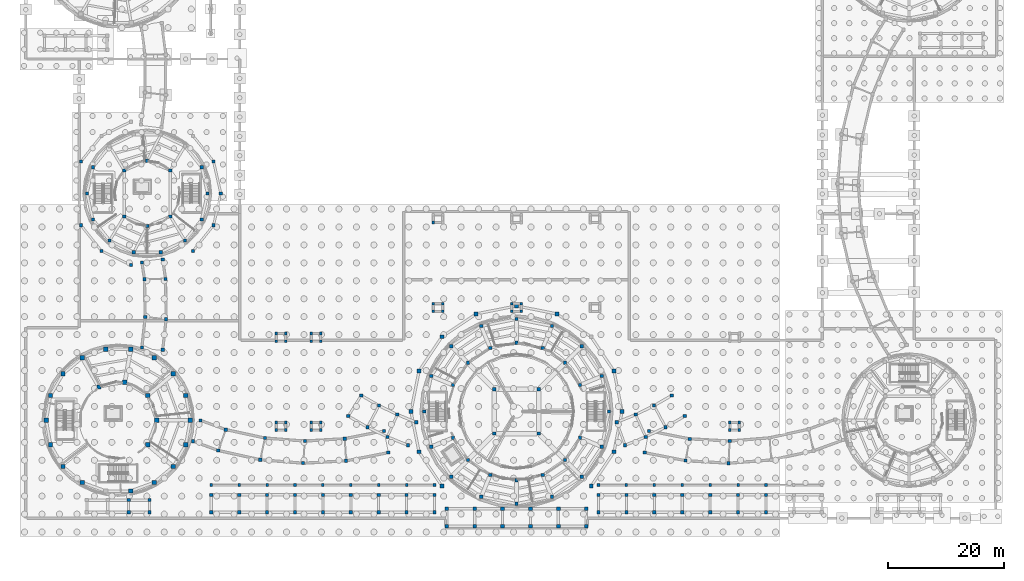
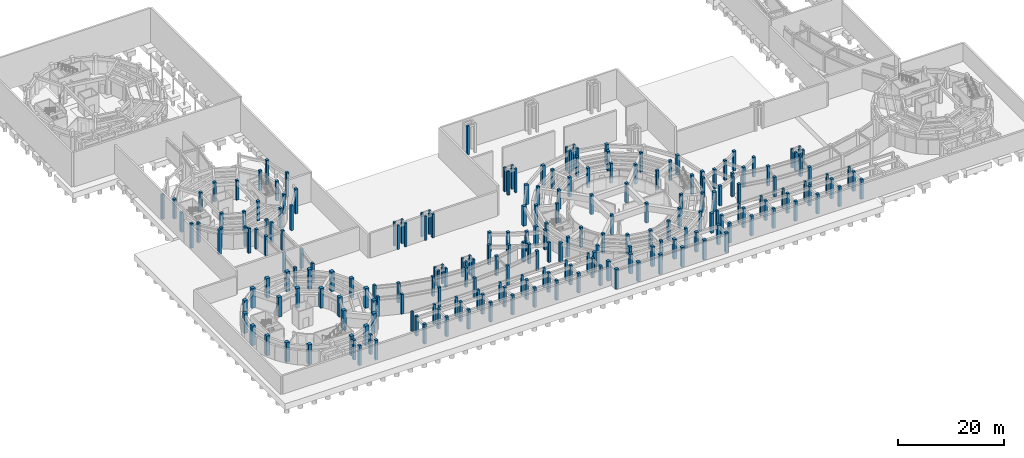
# One storey, part 9 of 57: 227 columns.
"""IFC4 building model written with IfcOpenShell, lengths in metres."""

from ifc_helpers import new_model, si_unit, direction, frame, origin, origin_2d, place, context, subcontext, project, spatial, rectangle, extrude, material, material_profile, profile_set, type_object, element, save


model = new_model("IFC4")

# Units and contexts
model_context = context("Model", 3, precision=1e-05, world=origin(), true_north=direction((0.0, 1.0)))
body_context = subcontext(model_context, "Body", "Model", "MODEL_VIEW")
ifc_project = project(units=[si_unit("LENGTHUNIT", "METRE"), si_unit("AREAUNIT", "SQUARE_METRE"), si_unit("VOLUMEUNIT", "CUBIC_METRE"), si_unit("PLANEANGLEUNIT", "RADIAN"), si_unit("MASSUNIT", "GRAM", prefix="KILO")], contexts=[model_context])

# Site, building, storey
site_placement = place(None, origin())
site = spatial("IfcSite", under=ifc_project, at=site_placement, CompositionType="ELEMENT")
building_placement = place(site_placement, origin())
building = spatial("IfcBuilding", under=site, at=building_placement, Name="Aldenvaro Health Centre", CompositionType="ELEMENT")
storey_placement = place(building_placement, frame((0.0, 0.0, -4.550048828125)))
storey = spatial("IfcBuildingStorey", under=building, at=storey_placement, Name="B1", CompositionType="ELEMENT", Elevation=-4.550048828125)

# Columns
ifc_material = material(Name="Concrete f'c 40 MPa", Category="concrete")
ifc_material_profile_1 = material_profile(ifc_material, rectangle(XDim=0.449951171875, YDim=0.449951171875, at=origin_2d()), Name="RC 450x450", Category="concrete")
ifc_profile_set_1 = profile_set([ifc_material_profile_1], Name="Concrete f'c 40 MPa")
column_type_1 = type_object("IfcColumnType", Name="COL-RC-450", PredefinedType="COLUMN", material=ifc_profile_set_1)
for number, where, z_axis, x_axis, name in (
    (1, (45.699951171875, 32.10009765625, 0.0), (0.0, 0.0, 1.0), (1.0, 0.0, 0.0), "Ramp 1 Landing Pier 1"),
    (2, (47.300048828125, 32.10009765625, 0.0), (0.0, 0.0, 1.0), (1.0, 0.0, 0.0), "Ramp 1 Landing Pier 2"),
    (3, (47.300048828125, 33.39990234375, 0.0), (0.0, 0.0, 1.0), (1.0, 0.0, 0.0), "Ramp 1 Landing Pier 3"),
    (4, (45.699951171875, 33.39990234375, 0.0), (0.0, 0.0, 1.0), (1.0, 0.0, 0.0), "Ramp 1 Landing Pier 4"),
):
    element("IfcColumn", number, at=place(storey_placement, frame(where, z_axis=z_axis, x_axis=x_axis)), inside=storey, type_object=column_type_1, Name=name, PredefinedType="COLUMN", context=body_context, shape_type="SweptSolid", body=[
        extrude(rectangle(XDim=0.449951171875, YDim=0.449951171875, at=origin_2d()), origin(), (0.0, 0.0, 1.0), 5.47998046875),
    ])
for number, where, z_axis, x_axis, name in (
    (5, (45.699951171875, 16.800048828125, 0.0), (0.0, 0.0, 1.0), (1.0, 0.0, 0.0), "Ramp 1 Departure Pier 1"),
    (6, (47.300048828125, 16.800048828125, 0.0), (0.0, 0.0, 1.0), (1.0, 0.0, 0.0), "Ramp 1 Departure Pier 2"),
    (7, (47.300048828125, 18.10009765625, 0.0), (0.0, 0.0, 1.0), (1.0, 0.0, 0.0), "Ramp 1 Departure Pier 3"),
    (8, (45.699951171875, 18.10009765625, 0.0), (0.0, 0.0, 1.0), (1.0, 0.0, 0.0), "Ramp 1 Departure Pier 4"),
):
    element("IfcColumn", number, at=place(storey_placement, frame(where, z_axis=z_axis, x_axis=x_axis)), inside=storey, type_object=column_type_1, Name=name, PredefinedType="COLUMN", context=body_context, shape_type="SweptSolid", body=[
        extrude(rectangle(XDim=0.449951171875, YDim=0.449951171875, at=origin_2d()), origin(), (0.0, 0.0, 1.0), 4.330078125),
    ])
for number, where, z_axis, x_axis, name in (
    (9, (51.699951171875, 32.10009765625, 0.0), (0.0, 0.0, 1.0), (1.0, 0.0, 0.0), "Ramp 2 Landing Pier 1"),
    (10, (53.300048828125, 32.10009765625, 0.0), (0.0, 0.0, 1.0), (1.0, 0.0, 0.0), "Ramp 2 Landing Pier 2"),
    (11, (53.300048828125, 33.39990234375, 0.0), (0.0, 0.0, 1.0), (1.0, 0.0, 0.0), "Ramp 2 Landing Pier 3"),
    (12, (51.699951171875, 33.39990234375, 0.0), (0.0, 0.0, 1.0), (1.0, 0.0, 0.0), "Ramp 2 Landing Pier 4"),
):
    element("IfcColumn", number, at=place(storey_placement, frame(where, z_axis=z_axis, x_axis=x_axis)), inside=storey, type_object=column_type_1, Name=name, PredefinedType="COLUMN", context=body_context, shape_type="SweptSolid", body=[
        extrude(rectangle(XDim=0.449951171875, YDim=0.449951171875, at=origin_2d()), origin(), (0.0, 0.0, 1.0), 5.47998046875),
    ])
for number, where, z_axis, x_axis, name in (
    (13, (51.699951171875, 16.800048828125, 0.0), (0.0, 0.0, 1.0), (1.0, 0.0, 0.0), "Ramp 2 Departure Pier 1"),
    (14, (53.300048828125, 16.800048828125, 0.0), (0.0, 0.0, 1.0), (1.0, 0.0, 0.0), "Ramp 2 Departure Pier 2"),
    (15, (53.300048828125, 18.10009765625, 0.0), (0.0, 0.0, 1.0), (1.0, 0.0, 0.0), "Ramp 2 Departure Pier 3"),
    (16, (51.699951171875, 18.10009765625, 0.0), (0.0, 0.0, 1.0), (1.0, 0.0, 0.0), "Ramp 2 Departure Pier 4"),
    (17, (123.699951171875, 16.800048828125, 0.0), (0.0, 0.0, 1.0), (1.0, 0.0, 0.0), "Ramp 3 Departure Pier 1"),
    (18, (125.300048828125, 16.800048828125, 0.0), (0.0, 0.0, 1.0), (1.0, 0.0, 0.0), "Ramp 3 Departure Pier 2"),
    (19, (125.300048828125, 18.10009765625, 0.0), (0.0, 0.0, 1.0), (1.0, 0.0, 0.0), "Ramp 3 Departure Pier 3"),
    (20, (123.699951171875, 18.10009765625, 0.0), (0.0, 0.0, 1.0), (1.0, 0.0, 0.0), "Ramp 3 Departure Pier 4"),
):
    element("IfcColumn", number, at=place(storey_placement, frame(where, z_axis=z_axis, x_axis=x_axis)), inside=storey, type_object=column_type_1, Name=name, PredefinedType="COLUMN", context=body_context, shape_type="SweptSolid", body=[
        extrude(rectangle(XDim=0.449951171875, YDim=0.449951171875, at=origin_2d()), origin(), (0.0, 0.0, 1.0), 4.330078125),
    ])
column_placement = place(storey_placement, frame((72.699951171875, 52.5, 0.0), z_axis=(0.0, 0.0, 1.0), x_axis=(1.0, 0.0, 0.0)))
element("IfcColumn", 21, at=column_placement, inside=storey, type_object=column_type_1, Name="Ramp 4 Landing Pier 1", PredefinedType="COLUMN", context=body_context, shape_type="SweptSolid", body=[
    extrude(rectangle(XDim=0.449951171875, YDim=0.449951171875, at=origin_2d()), origin(), (0.0, 0.0, 1.0), 6.630126953125),
])
for number, where, z_axis, x_axis, name in (
    (22, (72.699951171875, 37.199951171875, 0.0), (0.0, 0.0, 1.0), (1.0, 0.0, 0.0), "Ramp 4 Departure Pier 1"),
    (23, (74.300048828125, 37.199951171875, 0.0), (0.0, 0.0, 1.0), (1.0, 0.0, 0.0), "Ramp 4 Departure Pier 2"),
    (24, (74.300048828125, 38.5, 0.0), (0.0, 0.0, 1.0), (1.0, 0.0, 0.0), "Ramp 4 Departure Pier 3"),
    (25, (72.699951171875, 38.5, 0.0), (0.0, 0.0, 1.0), (1.0, 0.0, 0.0), "Ramp 4 Departure Pier 4"),
    (26, (86.199951171875, 37.199951171875, 0.0), (0.0, 0.0, 1.0), (1.0, 0.0, 0.0), "Ramp 6 Departure Pier 1"),
    (27, (87.800048828125, 37.199951171875, 0.0), (0.0, 0.0, 1.0), (1.0, 0.0, 0.0), "Ramp 6 Departure Pier 2"),
    (28, (87.800048828125, 38.5, 0.0), (0.0, 0.0, 1.0), (1.0, 0.0, 0.0), "Ramp 6 Departure Pier 3"),
    (29, (86.199951171875, 38.5, 0.0), (0.0, 0.0, 1.0), (1.0, 0.0, 0.0), "Ramp 6 Departure Pier 4"),
):
    element("IfcColumn", number, at=place(storey_placement, frame(where, z_axis=z_axis, x_axis=x_axis)), inside=storey, type_object=column_type_1, Name=name, PredefinedType="COLUMN", context=body_context, shape_type="SweptSolid", body=[
        extrude(rectangle(XDim=0.449951171875, YDim=0.449951171875, at=origin_2d()), origin(), (0.0, 0.0, 1.0), 5.47998046875),
    ])
for number, where, z_axis, x_axis, name in (
    (30, (34.5, 7.35009765625, 0.0), (0.0, 0.0, 1.0), (1.0, 0.0, 0.0), "Courtyard Screen W Substructure Pier 1"),
    (31, (39.300048828125, 7.35009765625, 0.0), (0.0, 0.0, 1.0), (1.0, 0.0, 0.0), "Courtyard Screen W Substructure Pier 2"),
    (32, (44.10009765625, 7.35009765625, 0.0), (0.0, 0.0, 1.0), (1.0, 0.0, 0.0), "Courtyard Screen W Substructure Pier 3"),
    (33, (48.89990234375, 7.35009765625, 0.0), (0.0, 0.0, 1.0), (1.0, 0.0, 0.0), "Courtyard Screen W Substructure Pier 4"),
    (34, (53.699951171875, 7.35009765625, 0.0), (0.0, 0.0, 1.0), (1.0, 0.0, 0.0), "Courtyard Screen W Substructure Pier 5"),
    (35, (58.5, 7.35009765625, 0.0), (0.0, 0.0, 1.0), (1.0, 0.0, 0.0), "Courtyard Screen W Substructure Pier 6"),
    (36, (63.300048828125, 7.35009765625, 0.0), (0.0, 0.0, 1.0), (1.0, 0.0, 0.0), "Courtyard Screen W Substructure Pier 7"),
    (37, (68.10009765625, 7.35009765625, 0.0), (0.0, 0.0, 1.0), (1.0, 0.0, 0.0), "Courtyard Screen W Substructure Pier 8"),
    (38, (72.89990234375, 7.35009765625, 0.0), (0.0, 0.0, 1.0), (1.0, 0.0, 0.0), "Courtyard Screen W Substructure Pier 9"),
    (39, (101.10009765625, 7.35009765625, 0.0), (0.0, 0.0, 1.0), (1.0, 0.0, 0.0), "Courtyard Screen E Substructure Pier 1"),
    (40, (105.89990234375, 7.35009765625, 0.0), (0.0, 0.0, 1.0), (1.0, 0.0, 0.0), "Courtyard Screen E Substructure Pier 2"),
    (41, (110.699951171875, 7.35009765625, 0.0), (0.0, 0.0, 1.0), (1.0, 0.0, 0.0), "Courtyard Screen E Substructure Pier 3"),
    (42, (115.5, 7.35009765625, 0.0), (0.0, 0.0, 1.0), (1.0, 0.0, 0.0), "Courtyard Screen E Substructure Pier 4"),
    (43, (120.300048828125, 7.35009765625, 0.0), (0.0, 0.0, 1.0), (1.0, 0.0, 0.0), "Courtyard Screen E Substructure Pier 5"),
    (44, (125.10009765625, 7.35009765625, 0.0), (0.0, 0.0, 1.0), (1.0, 0.0, 0.0), "Courtyard Screen E Substructure Pier 6"),
    (45, (129.89990234375, 7.35009765625, 0.0), (0.0, 0.0, 1.0), (1.0, 0.0, 0.0), "Courtyard Screen E Substructure Pier 7"),
):
    element("IfcColumn", number, at=place(storey_placement, frame(where, z_axis=z_axis, x_axis=x_axis)), inside=storey, type_object=column_type_1, Name=name, PredefinedType="COLUMN", context=body_context, shape_type="SweptSolid", body=[
        extrude(rectangle(XDim=0.449951171875, YDim=0.449951171875, at=origin_2d()), origin(), (0.0, 0.0, 1.0), 4.550048828125),
    ])
ifc_material_profile_2 = material_profile(ifc_material, rectangle(XDim=0.550048828125, YDim=0.550048828125, at=origin_2d()), Name="RC 550x550", Category="concrete")
ifc_profile_set_2 = profile_set([ifc_material_profile_2], Name="Concrete f'c 40 MPa")
column_type_2 = type_object("IfcColumnType", Name="COL-RC-550", PredefinedType="COLUMN", material=ifc_profile_set_2)
for number, where, z_axis, x_axis, name in (
    (46, (102.8798828125, 20.0, 0.0), (0.0, 0.0, 1.0), (1.0, 0.0, 0.0), "D1 B1 column OUT-01"),
    (47, (101.6708984375, 26.076904296875, 0.0), (0.0, 0.0, 1.0), (1.0, 0.0, 0.0), "D1 B1 column OUT-02"),
    (48, (98.22900390625, 31.22900390625, 0.0), (0.0, 0.0, 1.0), (1.0, 0.0, 0.0), "D1 B1 column OUT-03"),
    (49, (93.076904296875, 34.6708984375, 0.0), (0.0, 0.0, 1.0), (1.0, 0.0, 0.0), "D1 B1 column OUT-04"),
    (50, (87.0, 35.8798828125, 0.0), (0.0, 0.0, 1.0), (1.0, 0.0, 0.0), "D1 B1 column OUT-05"),
    (51, (80.923095703125, 34.6708984375, 0.0), (0.0, 0.0, 1.0), (1.0, 0.0, 0.0), "D1 B1 column OUT-06"),
    (52, (75.77099609375, 31.22900390625, 0.0), (0.0, 0.0, 1.0), (1.0, 0.0, 0.0), "D1 B1 column OUT-07"),
    (53, (72.3291015625, 26.076904296875, 0.0), (0.0, 0.0, 1.0), (1.0, 0.0, 0.0), "D1 B1 column OUT-08"),
    (54, (71.1201171875, 20.0, 0.0), (0.0, 0.0, 1.0), (1.0, 0.0, 0.0), "D1 B1 column OUT-09"),
    (55, (72.3291015625, 13.923095703125, 0.0), (0.0, 0.0, 1.0), (1.0, 0.0, 0.0), "D1 B1 column OUT-10"),
    (56, (75.77099609375, 8.77099609375, 0.0), (0.0, 0.0, 1.0), (1.0, 0.0, 0.0), "D1 B1 column OUT-11"),
    (57, (80.923095703125, 5.3291015625, 0.0), (0.0, 0.0, 1.0), (1.0, 0.0, 0.0), "D1 B1 column OUT-12"),
    (58, (87.0, 4.1201171875, 0.0), (0.0, 0.0, 1.0), (1.0, 0.0, 0.0), "D1 B1 column OUT-13"),
    (59, (93.076904296875, 5.3291015625, 0.0), (0.0, 0.0, 1.0), (1.0, 0.0, 0.0), "D1 B1 column OUT-14"),
    (60, (98.22900390625, 8.77099609375, 0.0), (0.0, 0.0, 1.0), (1.0, 0.0, 0.0), "D1 B1 column OUT-15"),
    (61, (101.6708984375, 13.923095703125, 0.0), (0.0, 0.0, 1.0), (1.0, 0.0, 0.0), "D1 B1 column OUT-16"),
    (62, (97.919921875, 24.52294921875, 0.0), (0.0, 0.0, 1.0), (1.0, 0.0, 0.0), "D1 B1 column IN-01"),
    (63, (95.35791015625, 28.35791015625, 0.0), (0.0, 0.0, 1.0), (1.0, 0.0, 0.0), "D1 B1 column IN-02"),
    (64, (91.52294921875, 30.919921875, 0.0), (0.0, 0.0, 1.0), (1.0, 0.0, 0.0), "D1 B1 column IN-03"),
    (65, (87.0, 31.820068359375, 0.0), (0.0, 0.0, 1.0), (1.0, 0.0, 0.0), "D1 B1 column IN-04"),
    (66, (82.47705078125, 30.919921875, 0.0), (0.0, 0.0, 1.0), (1.0, 0.0, 0.0), "D1 B1 column IN-05"),
    (67, (78.64208984375, 28.35791015625, 0.0), (0.0, 0.0, 1.0), (1.0, 0.0, 0.0), "D1 B1 column IN-06"),
    (68, (76.080078125, 24.52294921875, 0.0), (0.0, 0.0, 1.0), (1.0, 0.0, 0.0), "D1 B1 column IN-07"),
    (69, (76.080078125, 15.47705078125, 0.0), (0.0, 0.0, 1.0), (1.0, 0.0, 0.0), "D1 B1 column IN-08"),
    (70, (78.64208984375, 11.64208984375, 0.0), (0.0, 0.0, 1.0), (1.0, 0.0, 0.0), "D1 B1 column IN-09"),
    (71, (82.47705078125, 9.080078125, 0.0), (0.0, 0.0, 1.0), (1.0, 0.0, 0.0), "D1 B1 column IN-10"),
    (72, (87.0, 8.179931640625, 0.0), (0.0, 0.0, 1.0), (1.0, 0.0, 0.0), "D1 B1 column IN-11"),
    (73, (91.52294921875, 9.080078125, 0.0), (0.0, 0.0, 1.0), (1.0, 0.0, 0.0), "D1 B1 column IN-12"),
    (74, (95.35791015625, 11.64208984375, 0.0), (0.0, 0.0, 1.0), (1.0, 0.0, 0.0), "D1 B1 column IN-13"),
    (75, (97.919921875, 15.47705078125, 0.0), (0.0, 0.0, 1.0), (1.0, 0.0, 0.0), "D1 B1 column IN-14"),
    (76, (90.818115234375, 23.818115234375, 0.0), (0.0, 0.0, 1.0), (1.0, 0.0, 0.0), "D1 B1 column B1C-01"),
    (77, (83.181884765625, 23.818115234375, 0.0), (0.0, 0.0, 1.0), (1.0, 0.0, 0.0), "D1 B1 column B1C-02"),
    (78, (83.181884765625, 16.181884765625, 0.0), (0.0, 0.0, 1.0), (1.0, 0.0, 0.0), "D1 B1 column B1C-03"),
    (79, (90.818115234375, 16.181884765625, 0.0), (0.0, 0.0, 1.0), (1.0, 0.0, 0.0), "D1 B1 column B1C-04"),
    (80, (33.8798828125, 57.5, 0.0), (0.0, 0.0, 1.0), (1.0, 0.0, 0.0), "D3 B1 column OUT-01"),
    (81, (32.85205078125, 62.00390625, 0.0), (0.0, 0.0, 1.0), (1.0, 0.0, 0.0), "D3 B1 column OUT-02"),
    (82, (14.14794921875, 62.00390625, 0.0), (0.0, 0.0, 1.0), (1.0, 0.0, 0.0), "D3 B1 column OUT-07"),
    (83, (13.1201171875, 57.5, 0.0), (0.0, 0.0, 1.0), (1.0, 0.0, 0.0), "D3 B1 column OUT-08"),
    (84, (14.14794921875, 52.99609375, 0.0), (0.0, 0.0, 1.0), (1.0, 0.0, 0.0), "D3 B1 column OUT-09"),
    (85, (17.028076171875, 49.385009765625, 0.0), (0.0, 0.0, 1.0), (1.0, 0.0, 0.0), "D3 B1 column OUT-10"),
    (86, (21.18994140625, 47.3798828125, 0.0), (0.0, 0.0, 1.0), (1.0, 0.0, 0.0), "D3 B1 column OUT-11"),
    (87, (25.81005859375, 47.3798828125, 0.0), (0.0, 0.0, 1.0), (1.0, 0.0, 0.0), "D3 B1 column OUT-12"),
    (88, (29.971923828125, 49.385009765625, 0.0), (0.0, 0.0, 1.0), (1.0, 0.0, 0.0), "D3 B1 column OUT-13"),
    (89, (32.85205078125, 52.99609375, 0.0), (0.0, 0.0, 1.0), (1.0, 0.0, 0.0), "D3 B1 column OUT-14"),
    (90, (27.4599609375, 61.4599609375, 0.0), (0.0, 0.0, 1.0), (1.0, 0.0, 0.0), "D3 B1 column IN-01"),
    (91, (23.5, 63.10009765625, 0.0), (0.0, 0.0, 1.0), (1.0, 0.0, 0.0), "D3 B1 column IN-02"),
    (92, (19.5400390625, 61.4599609375, 0.0), (0.0, 0.0, 1.0), (1.0, 0.0, 0.0), "D3 B1 column IN-03"),
    (93, (19.5400390625, 53.5400390625, 0.0), (0.0, 0.0, 1.0), (1.0, 0.0, 0.0), "D3 B1 column IN-04"),
    (94, (23.5, 51.89990234375, 0.0), (0.0, 0.0, 1.0), (1.0, 0.0, 0.0), "D3 B1 column IN-05"),
    (95, (27.4599609375, 53.5400390625, 0.0), (0.0, 0.0, 1.0), (1.0, 0.0, 0.0), "D3 B1 column IN-06"),
    (96, (60.2919921875, 22.758056640625, 0.0), (0.0, 0.0, 1.0), (1.0, 0.0, 0.0), "Colonnade Foundation Pier 1.1"),
    (97, (58.06591796875, 19.197021484375, 0.0), (0.0, 0.0, 1.0), (1.0, 0.0, 0.0), "Colonnade Foundation Pier 1.2"),
    (98, (63.339111328125, 20.9990234375, 0.0), (0.0, 0.0, 1.0), (1.0, 0.0, 0.0), "Colonnade Foundation Pier 2.1"),
    (99, (61.366943359375, 17.291015625, 0.0), (0.0, 0.0, 1.0), (1.0, 0.0, 0.0), "Colonnade Foundation Pier 2.2"),
    (100, (66.5, 19.45703125, 0.0), (0.0, 0.0, 1.0), (1.0, 0.0, 0.0), "Colonnade Foundation Pier 3.1"),
    (101, (64.7919921875, 15.6201171875, 0.0), (0.0, 0.0, 1.0), (1.0, 0.0, 0.0), "Colonnade Foundation Pier 3.2"),
    (102, (69.761962890625, 18.138916015625, 0.0), (0.0, 0.0, 1.0), (1.0, 0.0, 0.0), "Colonnade Foundation Pier 4.1"),
    (103, (68.325927734375, 14.193115234375, 0.0), (0.0, 0.0, 1.0), (1.0, 0.0, 0.0), "Colonnade Foundation Pier 4.2"),
    (104, (104.238037109375, 18.138916015625, 0.0), (0.0, 0.0, 1.0), (1.0, 0.0, 0.0), "Colonnade Foundation Pier 14.1"),
    (105, (105.674072265625, 14.193115234375, 0.0), (0.0, 0.0, 1.0), (1.0, 0.0, 0.0), "Colonnade Foundation Pier 14.2"),
    (106, (107.5, 19.45703125, 0.0), (0.0, 0.0, 1.0), (1.0, 0.0, 0.0), "Colonnade Foundation Pier 15.1"),
    (107, (109.2080078125, 15.6201171875, 0.0), (0.0, 0.0, 1.0), (1.0, 0.0, 0.0), "Colonnade Foundation Pier 15.2"),
    (108, (110.660888671875, 20.9990234375, 0.0), (0.0, 0.0, 1.0), (1.0, 0.0, 0.0), "Colonnade Foundation Pier 16.1"),
    (109, (112.633056640625, 17.291015625, 0.0), (0.0, 0.0, 1.0), (1.0, 0.0, 0.0), "Colonnade Foundation Pier 16.2"),
    (110, (113.7080078125, 22.758056640625, 0.0), (0.0, 0.0, 1.0), (1.0, 0.0, 0.0), "Colonnade Foundation Pier 17.1"),
    (111, (115.93408203125, 19.197021484375, 0.0), (0.0, 0.0, 1.0), (1.0, 0.0, 0.0), "Colonnade Foundation Pier 17.2"),
    (112, (22.571044921875, 31.008056640625, 0.0), (0.0, 0.0, 1.0), (1.0, 0.0, 0.0), "West South Curved Garden Walkway Arc 1 B1 column 1.1"),
    (113, (26.14892578125, 30.611083984375, 0.0), (0.0, 0.0, 1.0), (1.0, 0.0, 0.0), "West South Curved Garden Walkway Arc 1 B1 column 1.2"),
    (114, (23.154052734375, 36.256103515625, 0.0), (0.0, 0.0, 1.0), (1.0, 0.0, 0.0), "West South Curved Garden Walkway Arc 1 B1 column 2.1"),
    (115, (26.73193359375, 35.85791015625, 0.0), (0.0, 0.0, 1.0), (1.0, 0.0, 0.0), "West South Curved Garden Walkway Arc 1 B1 column 2.2"),
    (116, (23.02587890625, 42.739990234375, 0.0), (0.0, 0.0, 1.0), (1.0, 0.0, 0.0), "West South Curved Garden Walkway Arc 2 B1 column 2.1"),
    (117, (26.6259765625, 42.802001953125, 0.0), (0.0, 0.0, 1.0), (1.0, 0.0, 0.0), "West South Curved Garden Walkway Arc 2 B1 column 2.2"),
    (118, (22.587890625, 45.632080078125, 0.0), (0.0, 0.0, 1.0), (1.0, 0.0, 0.0), "West South Curved Garden Walkway Arc 3 B1 column 2.1"),
    (119, (26.14990234375, 46.154052734375, 0.0), (0.0, 0.0, 1.0), (1.0, 0.0, 0.0), "West South Curved Garden Walkway Arc 3 B1 column 2.2"),
    (120, (32.6650390625, 18.4580078125, 0.0), (0.0, 0.0, 1.0), (1.0, 0.0, 0.0), "South West Curved Peristyle Walkway Arc 1 B1 column 1.1"),
    (121, (31.35888671875, 14.888916015625, 0.0), (0.0, 0.0, 1.0), (1.0, 0.0, 0.0), "South West Curved Peristyle Walkway Arc 1 B1 column 1.2"),
    (122, (37.006103515625, 16.868896484375, 0.0), (0.0, 0.0, 1.0), (1.0, 0.0, 0.0), "South West Curved Peristyle Walkway Arc 1 B1 column 2.1"),
    (123, (35.699951171875, 13.301025390625, 0.0), (0.0, 0.0, 1.0), (1.0, 0.0, 0.0), "South West Curved Peristyle Walkway Arc 1 B1 column 2.2"),
    (124, (43.736083984375, 15.4189453125, 0.0), (0.0, 0.0, 1.0), (1.0, 0.0, 0.0), "South West Curved Peristyle Walkway Arc 2 B1 column 2.1"),
    (125, (42.926025390625, 11.70703125, 0.0), (0.0, 0.0, 1.0), (1.0, 0.0, 0.0), "South West Curved Peristyle Walkway Arc 2 B1 column 2.2"),
    (126, (50.59912109375, 14.89697265625, 0.0), (0.0, 0.0, 1.0), (1.0, 0.0, 0.0), "South West Curved Peristyle Walkway Arc 3 B1 column 2.1"),
    (127, (50.301025390625, 11.10888671875, 0.0), (0.0, 0.0, 1.0), (1.0, 0.0, 0.0), "South West Curved Peristyle Walkway Arc 3 B1 column 2.2"),
    (128, (57.470947265625, 15.31103515625, 0.0), (0.0, 0.0, 1.0), (1.0, 0.0, 0.0), "South West Curved Peristyle Walkway Arc 4 B1 column 2.1"),
    (129, (57.68896484375, 11.51708984375, 0.0), (0.0, 0.0, 1.0), (1.0, 0.0, 0.0), "South West Curved Peristyle Walkway Arc 4 B1 column 2.2"),
    (130, (64.221923828125, 16.653076171875, 0.0), (0.0, 0.0, 1.0), (1.0, 0.0, 0.0), "South West Curved Peristyle Walkway Arc 5 B1 column 2.1"),
    (131, (64.9541015625, 12.925048828125, 0.0), (0.0, 0.0, 1.0), (1.0, 0.0, 0.0), "South West Curved Peristyle Walkway Arc 5 B1 column 2.2"),
    (132, (109.778076171875, 16.653076171875, 0.0), (0.0, 0.0, 1.0), (1.0, 0.0, 0.0), "South East Curved Peristyle Walkway Arc 1 B1 column 1.1"),
    (133, (109.0458984375, 12.925048828125, 0.0), (0.0, 0.0, 1.0), (1.0, 0.0, 0.0), "South East Curved Peristyle Walkway Arc 1 B1 column 1.2"),
    (134, (116.785888671875, 15.278076171875, 0.0), (0.0, 0.0, 1.0), (1.0, 0.0, 0.0), "South East Curved Peristyle Walkway Arc 1 B1 column 2.1"),
    (135, (116.053955078125, 11.550048828125, 0.0), (0.0, 0.0, 1.0), (1.0, 0.0, 0.0), "South East Curved Peristyle Walkway Arc 1 B1 column 2.2"),
    (136, (123.658935546875, 14.89990234375, 0.0), (0.0, 0.0, 1.0), (1.0, 0.0, 0.0), "South East Curved Peristyle Walkway Arc 2 B1 column 2.1"),
    (137, (123.44091796875, 11.10595703125, 0.0), (0.0, 0.0, 1.0), (1.0, 0.0, 0.0), "South East Curved Peristyle Walkway Arc 2 B1 column 2.2"),
    (138, (34.5, 2.64990234375, 0.0), (0.0, 0.0, 1.0), (1.0, 0.0, 0.0), "South Stoa W Substructure Pier 1.1"),
    (139, (34.5, 5.64990234375, 0.0), (0.0, 0.0, 1.0), (1.0, 0.0, 0.0), "South Stoa W Substructure Pier 1.2"),
    (140, (39.300048828125, 2.64990234375, 0.0), (0.0, 0.0, 1.0), (1.0, 0.0, 0.0), "South Stoa W Substructure Pier 2.1"),
    (141, (39.300048828125, 5.64990234375, 0.0), (0.0, 0.0, 1.0), (1.0, 0.0, 0.0), "South Stoa W Substructure Pier 2.2"),
    (142, (44.10009765625, 2.64990234375, 0.0), (0.0, 0.0, 1.0), (1.0, 0.0, 0.0), "South Stoa W Substructure Pier 3.1"),
    (143, (44.10009765625, 5.64990234375, 0.0), (0.0, 0.0, 1.0), (1.0, 0.0, 0.0), "South Stoa W Substructure Pier 3.2"),
    (144, (48.89990234375, 2.64990234375, 0.0), (0.0, 0.0, 1.0), (1.0, 0.0, 0.0), "South Stoa W Substructure Pier 4.1"),
    (145, (48.89990234375, 5.64990234375, 0.0), (0.0, 0.0, 1.0), (1.0, 0.0, 0.0), "South Stoa W Substructure Pier 4.2"),
    (146, (53.699951171875, 2.64990234375, 0.0), (0.0, 0.0, 1.0), (1.0, 0.0, 0.0), "South Stoa W Substructure Pier 5.1"),
    (147, (53.699951171875, 5.64990234375, 0.0), (0.0, 0.0, 1.0), (1.0, 0.0, 0.0), "South Stoa W Substructure Pier 5.2"),
    (148, (58.5, 2.64990234375, 0.0), (0.0, 0.0, 1.0), (1.0, 0.0, 0.0), "South Stoa W Substructure Pier 6.1"),
    (149, (58.5, 5.64990234375, 0.0), (0.0, 0.0, 1.0), (1.0, 0.0, 0.0), "South Stoa W Substructure Pier 6.2"),
    (150, (63.300048828125, 2.64990234375, 0.0), (0.0, 0.0, 1.0), (1.0, 0.0, 0.0), "South Stoa W Substructure Pier 7.1"),
    (151, (63.300048828125, 5.64990234375, 0.0), (0.0, 0.0, 1.0), (1.0, 0.0, 0.0), "South Stoa W Substructure Pier 7.2"),
    (152, (68.10009765625, 2.64990234375, 0.0), (0.0, 0.0, 1.0), (1.0, 0.0, 0.0), "South Stoa W Substructure Pier 8.1"),
    (153, (68.10009765625, 5.64990234375, 0.0), (0.0, 0.0, 1.0), (1.0, 0.0, 0.0), "South Stoa W Substructure Pier 8.2"),
    (154, (72.89990234375, 2.64990234375, 0.0), (0.0, 0.0, 1.0), (1.0, 0.0, 0.0), "South Stoa W Substructure Pier 9.1"),
    (155, (72.89990234375, 5.64990234375, 0.0), (0.0, 0.0, 1.0), (1.0, 0.0, 0.0), "South Stoa W Substructure Pier 9.2"),
    (156, (101.10009765625, 2.64990234375, 0.0), (0.0, 0.0, 1.0), (1.0, 0.0, 0.0), "South Stoa E Substructure Pier 1.1"),
    (157, (101.10009765625, 5.64990234375, 0.0), (0.0, 0.0, 1.0), (1.0, 0.0, 0.0), "South Stoa E Substructure Pier 1.2"),
    (158, (105.89990234375, 2.64990234375, 0.0), (0.0, 0.0, 1.0), (1.0, 0.0, 0.0), "South Stoa E Substructure Pier 2.1"),
    (159, (105.89990234375, 5.64990234375, 0.0), (0.0, 0.0, 1.0), (1.0, 0.0, 0.0), "South Stoa E Substructure Pier 2.2"),
    (160, (110.699951171875, 2.64990234375, 0.0), (0.0, 0.0, 1.0), (1.0, 0.0, 0.0), "South Stoa E Substructure Pier 3.1"),
    (161, (110.699951171875, 5.64990234375, 0.0), (0.0, 0.0, 1.0), (1.0, 0.0, 0.0), "South Stoa E Substructure Pier 3.2"),
    (162, (115.5, 2.64990234375, 0.0), (0.0, 0.0, 1.0), (1.0, 0.0, 0.0), "South Stoa E Substructure Pier 4.1"),
    (163, (115.5, 5.64990234375, 0.0), (0.0, 0.0, 1.0), (1.0, 0.0, 0.0), "South Stoa E Substructure Pier 4.2"),
    (164, (120.300048828125, 2.64990234375, 0.0), (0.0, 0.0, 1.0), (1.0, 0.0, 0.0), "South Stoa E Substructure Pier 5.1"),
    (165, (120.300048828125, 5.64990234375, 0.0), (0.0, 0.0, 1.0), (1.0, 0.0, 0.0), "South Stoa E Substructure Pier 5.2"),
    (166, (125.10009765625, 2.64990234375, 0.0), (0.0, 0.0, 1.0), (1.0, 0.0, 0.0), "South Stoa E Substructure Pier 6.1"),
    (167, (125.10009765625, 5.64990234375, 0.0), (0.0, 0.0, 1.0), (1.0, 0.0, 0.0), "South Stoa E Substructure Pier 6.2"),
    (168, (129.89990234375, 2.64990234375, 0.0), (0.0, 0.0, 1.0), (1.0, 0.0, 0.0), "South Stoa E Substructure Pier 7.1"),
    (169, (129.89990234375, 5.64990234375, 0.0), (0.0, 0.0, 1.0), (1.0, 0.0, 0.0), "South Stoa E Substructure Pier 7.2"),
    (170, (20.300048828125, 2.64990234375, 0.0), (0.0, 0.0, 1.0), (1.0, 0.0, 0.0), "Pavilion Portico W5 Substructure Pier 3.1"),
    (171, (20.300048828125, 4.75, 0.0), (0.0, 0.0, 1.0), (1.0, 0.0, 0.0), "Pavilion Portico W5 Substructure Pier 3.2"),
    (172, (23.89990234375, 2.64990234375, 0.0), (0.0, 0.0, 1.0), (1.0, 0.0, 0.0), "Pavilion Portico W5 Substructure Pier 4.1"),
    (173, (23.89990234375, 4.75, 0.0), (0.0, 0.0, 1.0), (1.0, 0.0, 0.0), "Pavilion Portico W5 Substructure Pier 4.2"),
):
    element("IfcColumn", number, at=place(storey_placement, frame(where, z_axis=z_axis, x_axis=x_axis)), inside=storey, type_object=column_type_2, Name=name, PredefinedType="COLUMN", context=body_context, shape_type="SweptSolid", body=[
        extrude(rectangle(XDim=0.550048828125, YDim=0.550048828125, at=origin_2d()), origin(), (0.0, 0.0, 1.0), 4.550048828125),
    ])
for number, where, z_axis, x_axis, name in (
    (174, (36.14990234375, 57.5, 0.0), (0.0, 0.0, 1.0), (1.0, 0.0, 0.0), "Garden Pavilion Peristyle Substructure Pier 01"),
    (175, (34.89697265625, 62.989013671875, 0.0), (0.0, 0.0, 1.0), (1.0, 0.0, 0.0), "Garden Pavilion Peristyle Substructure Pier 02"),
    (176, (12.10302734375, 62.989013671875, 0.0), (0.0, 0.0, 1.0), (1.0, 0.0, 0.0), "Garden Pavilion Peristyle Substructure Pier 07"),
    (177, (12.10302734375, 52.010986328125, 0.0), (0.0, 0.0, 1.0), (1.0, 0.0, 0.0), "Garden Pavilion Peristyle Substructure Pier 09"),
    (178, (15.613037109375, 47.610107421875, 0.0), (0.0, 0.0, 1.0), (1.0, 0.0, 0.0), "Garden Pavilion Peristyle Substructure Pier 10"),
    (179, (20.68505859375, 45.1669921875, 0.0), (0.0, 0.0, 1.0), (1.0, 0.0, 0.0), "Garden Pavilion Peristyle Substructure Pier 11"),
    (180, (31.386962890625, 47.610107421875, 0.0), (0.0, 0.0, 1.0), (1.0, 0.0, 0.0), "Garden Pavilion Peristyle Substructure Pier 13"),
    (181, (34.89697265625, 52.010986328125, 0.0), (0.0, 0.0, 1.0), (1.0, 0.0, 0.0), "Garden Pavilion Peristyle Substructure Pier 14"),
):
    element("IfcColumn", number, at=place(storey_placement, frame(where, z_axis=z_axis, x_axis=x_axis)), inside=storey, type_object=column_type_2, Name=name, PredefinedType="COLUMN", context=body_context, shape_type="SweptSolid", body=[
        extrude(rectangle(XDim=0.550048828125, YDim=0.550048828125, at=origin_2d()), origin(), (0.0, 0.0, 1.0), 5.699951171875),
    ])
ifc_material_profile_3 = material_profile(ifc_material, rectangle(XDim=0.64990234375, YDim=0.64990234375, at=origin_2d()), Name="RC 650x650", Category="concrete")
ifc_profile_set_3 = profile_set([ifc_material_profile_3], Name="Concrete f'c 40 MPa")
column_type_3 = type_object("IfcColumnType", Name="COL-RC-650", PredefinedType="COLUMN", material=ifc_profile_set_3)
for number, where, z_axis, x_axis, name in (
    (182, (75.0, 0.25, 0.0), (0.0, 0.0, 1.0), (1.0, 0.0, 0.0), "Entrance Portico Substructure Pier 1.1"),
    (183, (75.0, 3.25, 0.0), (0.0, 0.0, 1.0), (1.0, 0.0, 0.0), "Entrance Portico Substructure Pier 1.2"),
    (184, (79.800048828125, 0.25, 0.0), (0.0, 0.0, 1.0), (1.0, 0.0, 0.0), "Entrance Portico Substructure Pier 2.1"),
    (185, (79.800048828125, 3.25, 0.0), (0.0, 0.0, 1.0), (1.0, 0.0, 0.0), "Entrance Portico Substructure Pier 2.2"),
    (186, (84.60009765625, 0.25, 0.0), (0.0, 0.0, 1.0), (1.0, 0.0, 0.0), "Entrance Portico Substructure Pier 3.1"),
    (187, (84.60009765625, 3.25, 0.0), (0.0, 0.0, 1.0), (1.0, 0.0, 0.0), "Entrance Portico Substructure Pier 3.2"),
    (188, (89.39990234375, 0.25, 0.0), (0.0, 0.0, 1.0), (1.0, 0.0, 0.0), "Entrance Portico Substructure Pier 4.1"),
    (189, (89.39990234375, 3.25, 0.0), (0.0, 0.0, 1.0), (1.0, 0.0, 0.0), "Entrance Portico Substructure Pier 4.2"),
    (190, (94.199951171875, 0.25, 0.0), (0.0, 0.0, 1.0), (1.0, 0.0, 0.0), "Entrance Portico Substructure Pier 5.1"),
    (191, (94.199951171875, 3.25, 0.0), (0.0, 0.0, 1.0), (1.0, 0.0, 0.0), "Entrance Portico Substructure Pier 5.2"),
    (192, (99.0, 0.25, 0.0), (0.0, 0.0, 1.0), (1.0, 0.0, 0.0), "Entrance Portico Substructure Pier 6.1"),
    (193, (99.0, 3.25, 0.0), (0.0, 0.0, 1.0), (1.0, 0.0, 0.0), "Entrance Portico Substructure Pier 6.2"),
    (194, (105.14990234375, 20.0, 0.0), (0.0, 0.0, 1.0), (1.0, 0.0, 0.0), "Waiting Rotunda Peristyle Substructure Pier 01"),
    (195, (103.76806640625, 26.946044921875, 0.0), (0.0, 0.0, 1.0), (1.0, 0.0, 0.0), "Waiting Rotunda Peristyle Substructure Pier 02"),
    (196, (93.946044921875, 36.76806640625, 0.0), (0.0, 0.0, 1.0), (1.0, 0.0, 0.0), "Waiting Rotunda Peristyle Substructure Pier 04"),
    (197, (87.0, 38.14990234375, 0.0), (0.0, 0.0, 1.0), (1.0, 0.0, 0.0), "Waiting Rotunda Peristyle Substructure Pier 05"),
    (198, (80.053955078125, 36.76806640625, 0.0), (0.0, 0.0, 1.0), (1.0, 0.0, 0.0), "Waiting Rotunda Peristyle Substructure Pier 06"),
    (199, (74.166015625, 32.833984375, 0.0), (0.0, 0.0, 1.0), (1.0, 0.0, 0.0), "Waiting Rotunda Peristyle Substructure Pier 07"),
    (200, (70.23193359375, 26.946044921875, 0.0), (0.0, 0.0, 1.0), (1.0, 0.0, 0.0), "Waiting Rotunda Peristyle Substructure Pier 08"),
    (201, (68.85009765625, 20.0, 0.0), (0.0, 0.0, 1.0), (1.0, 0.0, 0.0), "Waiting Rotunda Peristyle Substructure Pier 09"),
    (202, (70.23193359375, 13.053955078125, 0.0), (0.0, 0.0, 1.0), (1.0, 0.0, 0.0), "Waiting Rotunda Peristyle Substructure Pier 10"),
    (203, (74.166015625, 7.166015625, 0.0), (0.0, 0.0, 1.0), (1.0, 0.0, 0.0), "Waiting Rotunda Peristyle Substructure Pier 11"),
    (204, (99.833984375, 7.166015625, 0.0), (0.0, 0.0, 1.0), (1.0, 0.0, 0.0), "Waiting Rotunda Peristyle Substructure Pier 15"),
    (205, (103.76806640625, 13.053955078125, 0.0), (0.0, 0.0, 1.0), (1.0, 0.0, 0.0), "Waiting Rotunda Peristyle Substructure Pier 16"),
):
    element("IfcColumn", number, at=place(storey_placement, frame(where, z_axis=z_axis, x_axis=x_axis)), inside=storey, type_object=column_type_3, Name=name, PredefinedType="COLUMN", context=body_context, shape_type="SweptSolid", body=[
        extrude(rectangle(XDim=0.64990234375, YDim=0.64990234375, at=origin_2d()), origin(), (0.0, 0.0, 1.0), 4.550048828125),
    ])
ifc_material_profile_4 = material_profile(ifc_material, rectangle(XDim=0.75, YDim=0.75, at=origin_2d()), Name="RC 750x750", Category="concrete")
ifc_profile_set_4 = profile_set([ifc_material_profile_4], Name="Concrete f'c 40 MPa")
column_type_4 = type_object("IfcColumnType", Name="COL-RC-750", PredefinedType="COLUMN", material=ifc_profile_set_4)
for number, where, z_axis, x_axis, name in (
    (206, (30.8798828125, 18.5, 0.0), (0.0, 0.0, 1.0), (1.0, 0.0, 0.0), "D5 B1 column OUT-01"),
    (207, (30.133056640625, 22.73388671875, 0.0), (0.0, 0.0, 1.0), (1.0, 0.0, 0.0), "D5 B1 column OUT-02"),
    (208, (27.98388671875, 26.4580078125, 0.0), (0.0, 0.0, 1.0), (1.0, 0.0, 0.0), "D5 B1 column OUT-03"),
    (209, (24.68994140625, 29.220947265625, 0.0), (0.0, 0.0, 1.0), (1.0, 0.0, 0.0), "D5 B1 column OUT-04"),
    (210, (20.64990234375, 30.69189453125, 0.0), (0.0, 0.0, 1.0), (1.0, 0.0, 0.0), "D5 B1 column OUT-05"),
    (211, (16.35009765625, 30.69189453125, 0.0), (0.0, 0.0, 1.0), (1.0, 0.0, 0.0), "D5 B1 column OUT-06"),
    (212, (12.31005859375, 29.220947265625, 0.0), (0.0, 0.0, 1.0), (1.0, 0.0, 0.0), "D5 B1 column OUT-07"),
    (213, (9.01611328125, 26.4580078125, 0.0), (0.0, 0.0, 1.0), (1.0, 0.0, 0.0), "D5 B1 column OUT-08"),
    (214, (6.866943359375, 22.73388671875, 0.0), (0.0, 0.0, 1.0), (1.0, 0.0, 0.0), "D5 B1 column OUT-09"),
    (215, (6.1201171875, 18.5, 0.0), (0.0, 0.0, 1.0), (1.0, 0.0, 0.0), "D5 B1 column OUT-10"),
    (216, (6.866943359375, 14.26611328125, 0.0), (0.0, 0.0, 1.0), (1.0, 0.0, 0.0), "D5 B1 column OUT-11"),
    (217, (9.01611328125, 10.5419921875, 0.0), (0.0, 0.0, 1.0), (1.0, 0.0, 0.0), "D5 B1 column OUT-12"),
    (218, (12.31005859375, 7.779052734375, 0.0), (0.0, 0.0, 1.0), (1.0, 0.0, 0.0), "D5 B1 column OUT-13"),
    (219, (20.64990234375, 6.30810546875, 0.0), (0.0, 0.0, 1.0), (1.0, 0.0, 0.0), "D5 B1 column OUT-15"),
    (220, (24.68994140625, 7.779052734375, 0.0), (0.0, 0.0, 1.0), (1.0, 0.0, 0.0), "D5 B1 column OUT-16"),
    (221, (27.98388671875, 10.5419921875, 0.0), (0.0, 0.0, 1.0), (1.0, 0.0, 0.0), "D5 B1 column OUT-17"),
    (222, (30.133056640625, 14.26611328125, 0.0), (0.0, 0.0, 1.0), (1.0, 0.0, 0.0), "D5 B1 column OUT-18"),
    (223, (25.10009765625, 18.5, 0.0), (0.0, 0.0, 1.0), (1.0, 0.0, 0.0), "D5 B1 column IN-01"),
    (224, (23.555908203125, 22.741943359375, 0.0), (0.0, 0.0, 1.0), (1.0, 0.0, 0.0), "D5 B1 column IN-02"),
    (225, (19.64599609375, 25.0, 0.0), (0.0, 0.0, 1.0), (1.0, 0.0, 0.0), "D5 B1 column IN-03"),
    (226, (15.199951171875, 24.216064453125, 0.0), (0.0, 0.0, 1.0), (1.0, 0.0, 0.0), "D5 B1 column IN-04"),
    (227, (23.555908203125, 14.258056640625, 0.0), (0.0, 0.0, 1.0), (1.0, 0.0, 0.0), "D5 B1 column IN-05"),
):
    element("IfcColumn", number, at=place(storey_placement, frame(where, z_axis=z_axis, x_axis=x_axis)), inside=storey, type_object=column_type_4, Name=name, PredefinedType="COLUMN", context=body_context, shape_type="SweptSolid", body=[
        extrude(rectangle(XDim=0.75, YDim=0.75, at=origin_2d()), origin(), (0.0, 0.0, 1.0), 4.550048828125),
    ])

save(model, "model.ifc")
